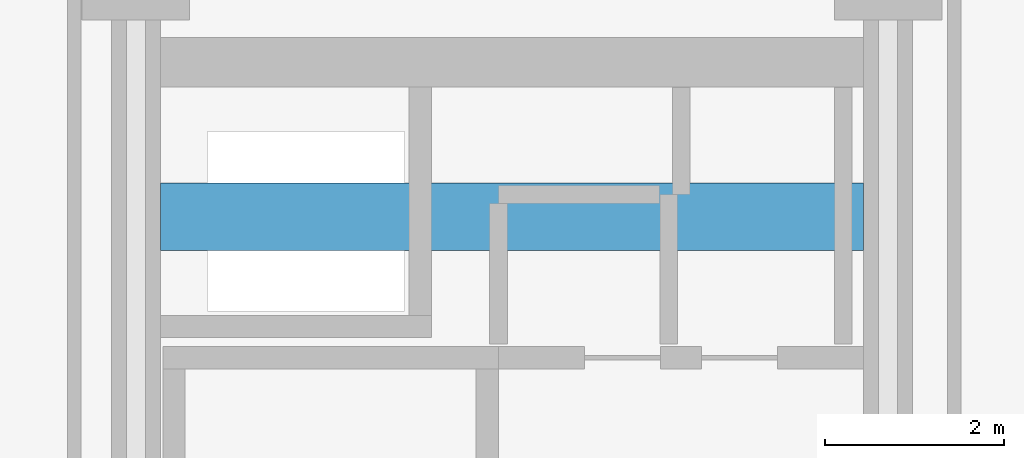
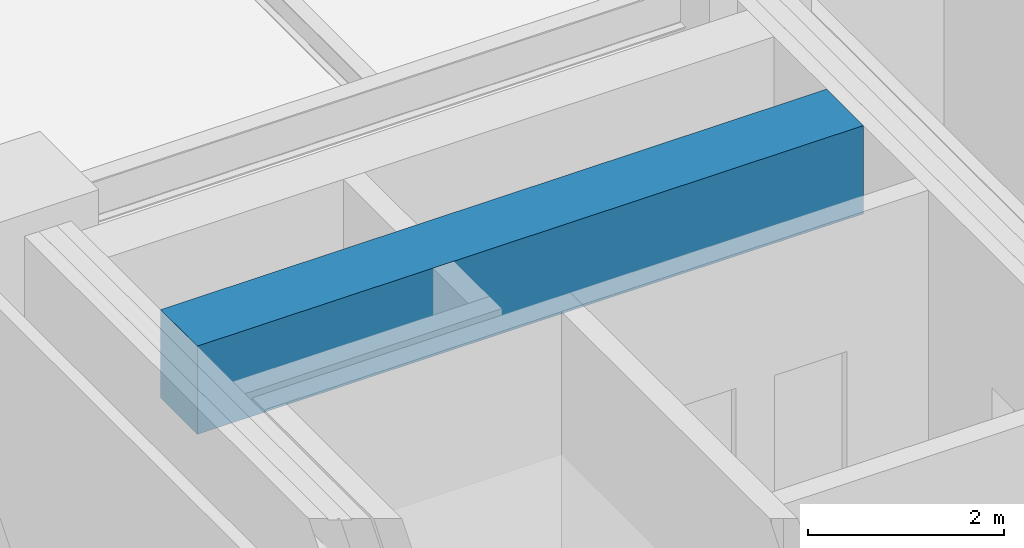
# One storey, part 17 of 29: 1 beam.
"""IFC4 building model written with IfcOpenShell, lengths in metres."""

from ifc_helpers import new_model, si_unit, direction, frame, origin, origin_2d, place, context, subcontext, project, spatial, rectangle, extrude, material, material_profile, profile_set, type_object, element, save


model = new_model("IFC4")

# Units and contexts
model_context = context("Model", 3, precision=1e-05, world=origin(), true_north=direction((0.0, 1.0)))
body_context = subcontext(model_context, "Body", "Model", "MODEL_VIEW")
ifc_project = project(units=[si_unit("LENGTHUNIT", "METRE"), si_unit("AREAUNIT", "SQUARE_METRE"), si_unit("VOLUMEUNIT", "CUBIC_METRE"), si_unit("PLANEANGLEUNIT", "RADIAN"), si_unit("MASSUNIT", "GRAM", prefix="KILO")], contexts=[model_context])

# Site, building, storey
site_placement = place(None, origin())
site = spatial("IfcSite", under=ifc_project, at=site_placement, CompositionType="ELEMENT")
building_placement = place(site_placement, origin())
building = spatial("IfcBuilding", under=site, at=building_placement, Name="Nerrivon Quay Data Exchange", CompositionType="ELEMENT")
storey_placement = place(building_placement, frame((0.0, 0.0, 137.699951171875)))
storey = spatial("IfcBuildingStorey", under=building, at=storey_placement, Name="L32", CompositionType="ELEMENT", Elevation=137.699951171875)

# Beam
ifc_material = material(Name="Concrete S65 (65 MPa)", Category="concrete")
ifc_material_profile = material_profile(ifc_material, rectangle(XDim=0.75, YDim=1.10009765625, at=origin_2d()), Name="RC-CB-750x1100")
ifc_profile_set = profile_set([ifc_material_profile], Name="Concrete S65 (65 MPa)")
beam_type = type_object("IfcBeamType", Name="BM-CB1-750x1100", PredefinedType="LINTEL", material=ifc_profile_set)
beam_placement = place(storey_placement, frame((8.675048828125, 39.199951171875, 3.275146484375), z_axis=(1.0, 0.0, 0.0), x_axis=(0.0, 1.0, 0.0)))
element("IfcBeam", 1, at=beam_placement, inside=storey, type_object=beam_type, Name="L32 West Core Coupling Beam", PredefinedType="LINTEL", context=body_context, shape_type="SweptSolid", body=[
    extrude(rectangle(XDim=0.75, YDim=1.10009765625, at=origin_2d()), origin(), (0.0, 0.0, 1.0), 7.849853515625),
])

save(model, "model.ifc")
